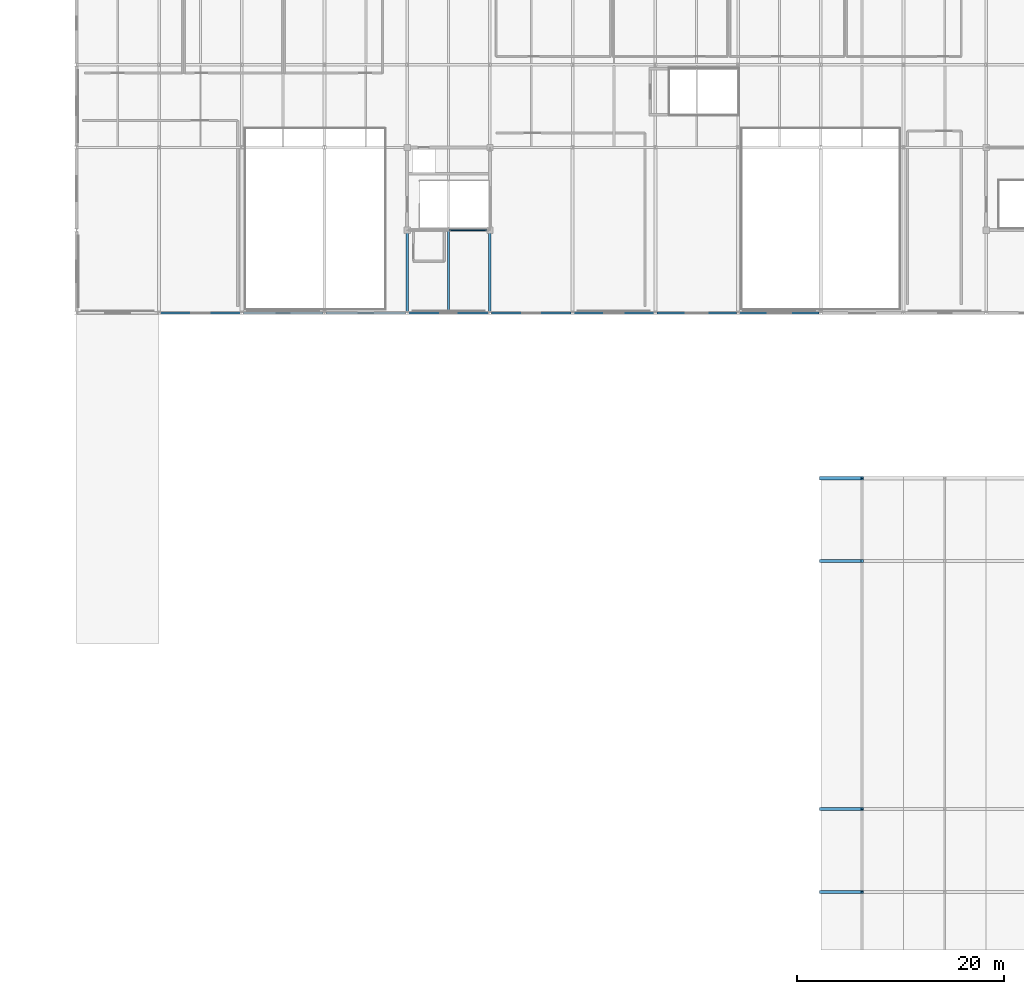
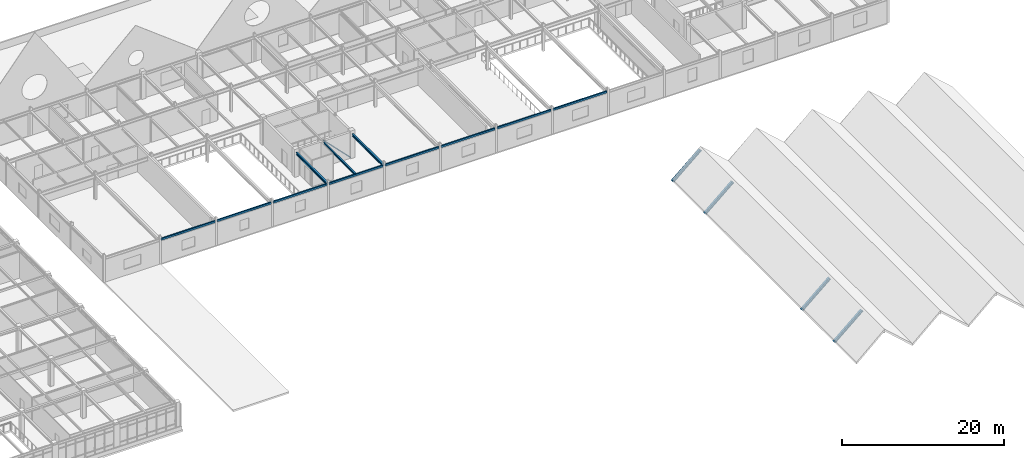
# One storey, part 25 of 88: 11 beams, 5 members.
"""IFC4 building model written with IfcOpenShell, lengths in metres."""

from ifc_helpers import new_model, si_unit, direction, frame, origin, origin_2d, place, context, subcontext, project, spatial, hollow_rectangle, hollow_circle, i_section, extrude, material, material_profile, profile_set, type_object, element, save


model = new_model("IFC4")

# Units and contexts
model_context = context("Model", 3, precision=1e-05, world=origin(), true_north=direction((0.0, 1.0)))
body_context = subcontext(model_context, "Body", "Model", "MODEL_VIEW")
ifc_project = project(units=[si_unit("LENGTHUNIT", "METRE"), si_unit("AREAUNIT", "SQUARE_METRE"), si_unit("VOLUMEUNIT", "CUBIC_METRE"), si_unit("PLANEANGLEUNIT", "RADIAN"), si_unit("MASSUNIT", "GRAM", prefix="KILO")], contexts=[model_context])

# Site, building, storey
site_placement = place(None, origin())
site = spatial("IfcSite", under=ifc_project, at=site_placement, CompositionType="ELEMENT")
building_placement = place(site_placement, origin())
building = spatial("IfcBuilding", under=site, at=building_placement, Name="Zhaolan Boulevard Law Courts", CompositionType="ELEMENT")
storey_placement = place(building_placement, frame((0.0, 0.0, 16.199951171875)))
storey = spatial("IfcBuildingStorey", under=building, at=storey_placement, Name="L03", CompositionType="ELEMENT", Elevation=16.199951171875)

# Beams
ifc_material_1 = material(Name="Structural steel Q355B", Category="steel")
ifc_material_profile_1 = material_profile(ifc_material_1, i_section(OverallWidth=0.25, OverallDepth=0.340087890625, WebThickness=0.009033203125, FlangeThickness=0.013916015625, FilletRadius=0.01611328125, at=origin_2d()), Name="HM340x250")
ifc_profile_set_1 = profile_set([ifc_material_profile_1], Name="Structural steel Q355B")
beam_type_1 = type_object("IfcBeamType", Name="GIRDER HM340", PredefinedType="BEAM", material=ifc_profile_set_1)
for number, where, z_axis, x_axis, name in (
    (1, (84.0, 62.14599609375, 3.568115234375), (0.0, 1.0, 0.0), (-1.0, 0.0, 0.0), "Beam BY-L04-11-J-K"),
    (2, (92.0, 62.14599609375, 3.568115234375), (0.0, 1.0, 0.0), (-1.0, 0.0, 0.0), "Beam BY-L04-12-J-K"),
):
    element("IfcBeam", number, at=place(storey_placement, frame(where, z_axis=z_axis, x_axis=x_axis)), inside=storey, type_object=beam_type_1, Name=name, PredefinedType="BEAM", context=body_context, shape_type="SweptSolid", body=[
        extrude(i_section(OverallWidth=0.25, OverallDepth=0.340087890625, WebThickness=0.009033203125, FlangeThickness=0.013916015625, FilletRadius=0.01611328125, at=origin_2d()), origin(), (0.0, 0.0, 1.0), 7.55810546875),
    ])
ifc_material_2 = material(Name="Structural steel Q355B", Category="steel")
ifc_material_profile_2 = material_profile(ifc_material_2, i_section(OverallWidth=0.199951171875, OverallDepth=0.2939453125, WebThickness=0.008056640625, FlangeThickness=0.011962890625, FilletRadius=0.01611328125, at=origin_2d()), Name="HM294x200")
ifc_profile_set_2 = profile_set([ifc_material_profile_2], Name="Structural steel Q355B")
beam_type_2 = type_object("IfcBeamType", Name="JOIST HM294", PredefinedType="JOIST", material=ifc_profile_set_2)
beam_placement = place(storey_placement, frame((88.0, 62.095947265625, 3.591064453125), z_axis=(0.0, 1.0, 0.0), x_axis=(-1.0, 0.0, 0.0)))
element("IfcBeam", 3, at=beam_placement, inside=storey, type_object=beam_type_2, Name="Composite Joist J-L04-11J", PredefinedType="JOIST", context=body_context, shape_type="SweptSolid", body=[
    extrude(i_section(OverallWidth=0.199951171875, OverallDepth=0.2939453125, WebThickness=0.008056640625, FlangeThickness=0.011962890625, FilletRadius=0.01611328125, at=origin_2d()), origin(), (0.0, 0.0, 1.0), 7.80810546875),
])

# Members
ifc_material_3 = material(Name="Structural steel Q355B", Category="steel")
ifc_material_profile_3 = material_profile(ifc_material_3, i_section(OverallWidth=0.300048828125, OverallDepth=0.389892578125, WebThickness=0.010009765625, FlangeThickness=0.01611328125, FilletRadius=0.01806640625, at=origin_2d()), Name="HM390x300")
ifc_profile_set_3 = profile_set([ifc_material_profile_3], Name="Structural steel Q355B")
member_type_1 = type_object("IfcMemberType", Name="RAFTER HM390", PredefinedType="RAFTER", material=ifc_profile_set_3)
for number, where, z_axis, x_axis, name in (
    (4, (124.0, 6.0, -0.349853515625), (0.757253091298, 0.0, 0.653121547432), (0.0, 1.0, 0.0), "Folded-Plate Rafter FPR-1W"),
    (5, (124.0, 14.0, -0.349853515625), (0.757253091298, 0.0, 0.653121547432), (0.0, 1.0, 0.0), "Folded-Plate Rafter FPR-1W"),
    (6, (124.0, 38.0, -0.349853515625), (0.757253091298, 0.0, 0.653121547432), (0.0, 1.0, 0.0), "Folded-Plate Rafter FPR-1W"),
    (7, (124.0, 46.0, -0.349853515625), (0.757253091298, 0.0, 0.653121547432), (0.0, 1.0, 0.0), "Folded-Plate Rafter FPR-1W"),
):
    element("IfcMember", number, at=place(storey_placement, frame(where, z_axis=z_axis, x_axis=x_axis)), inside=storey, type_object=member_type_1, Name=name, PredefinedType="RAFTER", context=body_context, shape_type="SweptSolid", body=[
        extrude(i_section(OverallWidth=0.300048828125, OverallDepth=0.389892578125, WebThickness=0.010009765625, FlangeThickness=0.01611328125, FilletRadius=0.01806640625, at=origin_2d()), origin(), (0.0, 0.0, 1.0), 5.2822265625),
    ])

# Beams
ifc_material_4 = material(Name="Structural steel Q355B", Category="steel")
ifc_material_profile_4 = material_profile(ifc_material_4, hollow_rectangle(XDim=0.199951171875, YDim=0.300048828125, WallThickness=0.011962890625, InnerFilletRadius=0.011962890625, OuterFilletRadius=0.02392578125, at=origin_2d()), Name="HSS300x200x12")
ifc_profile_set_4 = profile_set([ifc_material_profile_4], Name="Structural steel Q355B")
beam_type_3 = type_object("IfcBeamType", Name="SPANDREL HSS300", PredefinedType="SPANDREL", material=ifc_profile_set_4)
for number, where, z_axis, x_axis, name in (
    (8, (60.14599609375, 62.0, 3.588134765625), (1.0, 0.0, 0.0), (0.0, 1.0, 0.0), "Beam BX-L04-8-9-J"),
    (9, (68.14599609375, 62.0, 3.588134765625), (1.0, 0.0, 0.0), (0.0, 1.0, 0.0), "Beam BX-L04-9-10-J"),
    (10, (76.14599609375, 62.0, 3.588134765625), (1.0, 0.0, 0.0), (0.0, 1.0, 0.0), "Beam BX-L04-10-11-J"),
    (11, (84.14599609375, 62.0, 3.588134765625), (1.0, 0.0, 0.0), (0.0, 1.0, 0.0), "Beam BX-L04-11-12-J"),
    (12, (92.14599609375, 62.0, 3.588134765625), (1.0, 0.0, 0.0), (0.0, 1.0, 0.0), "Beam BX-L04-12-13-J"),
    (13, (100.14599609375, 62.0, 3.588134765625), (1.0, 0.0, 0.0), (0.0, 1.0, 0.0), "Beam BX-L04-13-14-J"),
    (14, (108.14599609375, 62.0, 3.588134765625), (1.0, 0.0, 0.0), (0.0, 1.0, 0.0), "Beam BX-L04-14-15-J"),
    (15, (116.14599609375, 62.0, 3.588134765625), (1.0, 0.0, 0.0), (0.0, 1.0, 0.0), "Beam BX-L04-15-16-J"),
):
    element("IfcBeam", number, at=place(storey_placement, frame(where, z_axis=z_axis, x_axis=x_axis)), inside=storey, type_object=beam_type_3, Name=name, PredefinedType="SPANDREL", context=body_context, shape_type="SweptSolid", body=[
        extrude(hollow_rectangle(XDim=0.199951171875, YDim=0.300048828125, WallThickness=0.011962890625, InnerFilletRadius=0.011962890625, OuterFilletRadius=0.02392578125, at=origin_2d()), origin(), (0.0, 0.0, 1.0), 7.7080078125),
    ])

# Member
ifc_material_5 = material(Name="Structural steel Q355B", Category="steel")
ifc_material_profile_5 = material_profile(ifc_material_5, hollow_circle(Radius=0.083984375, WallThickness=0.008056640625, at=origin_2d()), Name="CHS168x8")
ifc_profile_set_5 = profile_set([ifc_material_profile_5], Name="Structural steel Q355B")
member_type_2 = type_object("IfcMemberType", Name="STRUT CHS168", PredefinedType="BRACE", material=ifc_profile_set_5)
member_placement = place(storey_placement, frame((91.820068359375, 70.0, 0.030029296875), z_axis=(-0.700651844954, 0.0, 0.713503323161), x_axis=(0.0, -1.0, 0.0)))
element("IfcMember", 16, at=member_placement, inside=storey, type_object=member_type_2, Name="Core Brace BR-T1-L03-S2", PredefinedType="BRACE", context=body_context, shape_type="SweptSolid", body=[
    extrude(hollow_circle(Radius=0.083984375, WallThickness=0.008056640625, at=origin_2d()), origin(), (0.0, 0.0, 1.0), 5.4521484375),
])

save(model, "model.ifc")
